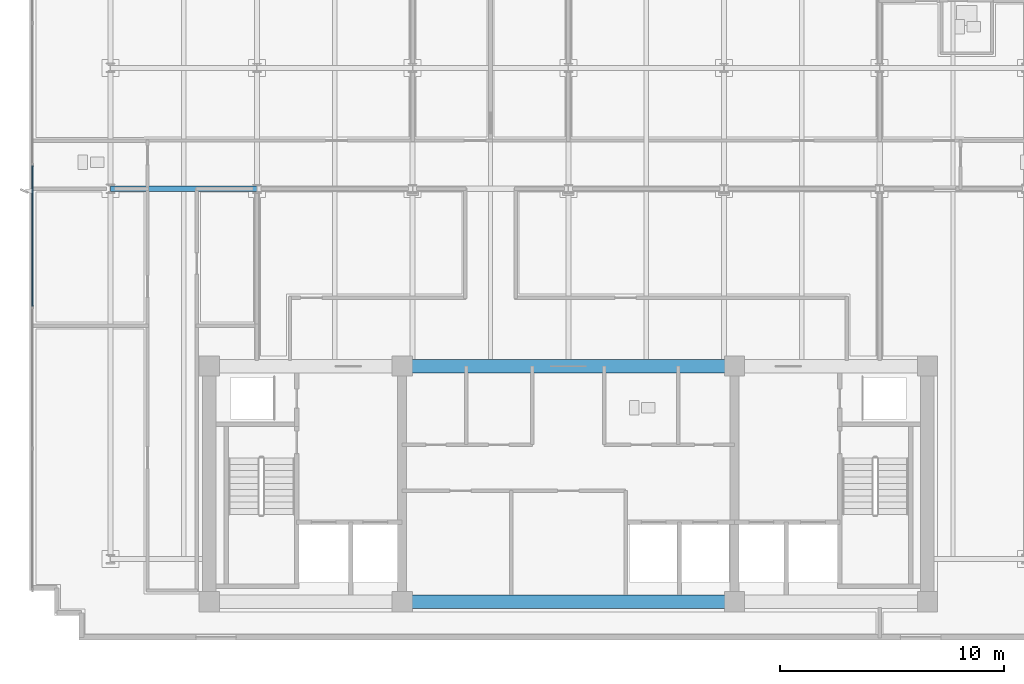
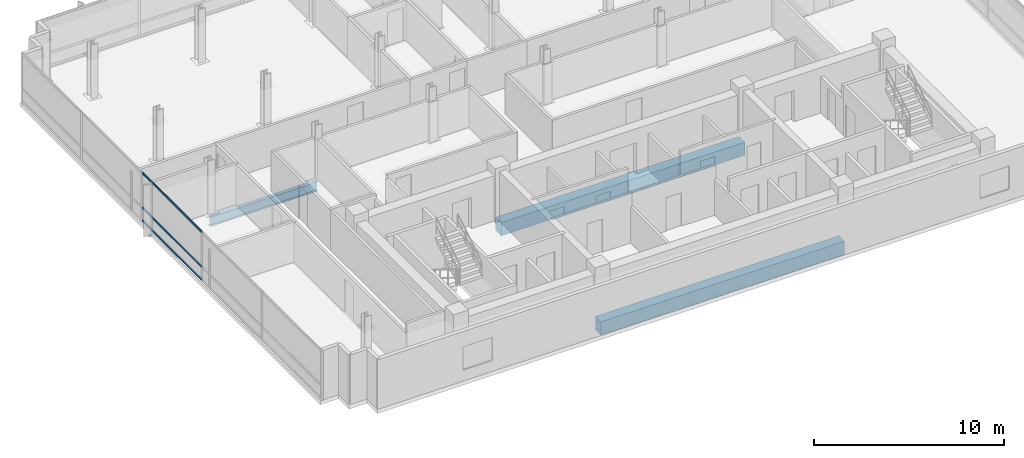
# One storey, part 3 of 18: 3 beams, 3 members, 1 element without a shape of its own.
"""IFC4 building model written with IfcOpenShell, lengths in metres."""

from ifc_helpers import new_model, si_unit, direction, frame, origin, origin_2d, place, context, subcontext, project, spatial, rectangle, i_section, extrude, material, material_profile, profile_set, type_object, element, aggregate, save


model = new_model("IFC4")

# Units and contexts
model_context = context("Model", 3, precision=1e-05, world=origin(), true_north=direction((0.0, 1.0)))
body_context = subcontext(model_context, "Body", "Model", "MODEL_VIEW")
ifc_project = project(units=[si_unit("LENGTHUNIT", "METRE"), si_unit("AREAUNIT", "SQUARE_METRE"), si_unit("VOLUMEUNIT", "CUBIC_METRE"), si_unit("PLANEANGLEUNIT", "RADIAN"), si_unit("MASSUNIT", "GRAM", prefix="KILO")], contexts=[model_context])

# Site, building, storey
site_placement = place(None, origin())
site = spatial("IfcSite", under=ifc_project, at=site_placement, CompositionType="ELEMENT")
building_placement = place(site_placement, origin())
building = spatial("IfcBuilding", under=site, at=building_placement, Name="Solmavex Isthmus Hotel", CompositionType="ELEMENT")
storey_placement = place(building_placement, frame((0.0, 0.0, 283.35009765625)))
storey = spatial("IfcBuildingStorey", under=building, at=storey_placement, Name="L77", CompositionType="ELEMENT", Elevation=283.35009765625)

# Beams
ifc_material_1 = material(Name="Steel ASTM A992 Grade 50", Category="steel")
ifc_material_profile_1 = material_profile(ifc_material_1, i_section(OverallWidth=0.227783203125, OverallDepth=0.602783203125, WebThickness=0.010498046875, FlangeThickness=0.014892578125, FilletRadius=0.01513671875, at=origin_2d()), Name="W24X68")
ifc_profile_set_1 = profile_set([ifc_material_profile_1], Name="Steel ASTM A992 Grade 50")
beam_type_1 = type_object("IfcBeamType", Name="BM-BM-W24X68", PredefinedType="BEAM", material=ifc_profile_set_1)
beam_placement = place(storey_placement, frame((-20.39990234375, 5.39990234375, -0.5615234375), z_axis=(1.0, 0.0, 0.0), x_axis=(0.0, 1.0, 0.0)))
element("IfcBeam", 1, at=beam_placement, inside=storey, type_object=beam_type_1, Name="Floor Girder L77-UG03", PredefinedType="BEAM", context=body_context, shape_type="SweptSolid", body=[
    extrude(i_section(OverallWidth=0.227783203125, OverallDepth=0.602783203125, WebThickness=0.010498046875, FlangeThickness=0.014892578125, FilletRadius=0.01513671875, at=origin_2d()), origin(), (0.0, 0.0, 1.0), 6.52783203125),
])
ifc_material_2 = material(Name="Concrete C50/60", Category="concrete")
ifc_material_profile_2 = material_profile(ifc_material_2, rectangle(XDim=0.60009765625, YDim=0.85009765625, at=origin_2d()), Name="RC600X850")
ifc_profile_set_2 = profile_set([ifc_material_profile_2], Name="Concrete C50/60")
beam_type_2 = type_object("IfcBeamType", Name="BM-CB-600X850", PredefinedType="BEAM", material=ifc_profile_set_2)
for number, where, z_axis, x_axis, name in (
    (2, (-7.39990234375, -13.0, -0.68505859375), (1.0, 0.0, 0.0), (0.0, 1.0, 0.0), "Core Coupling Beam L77-CB2"),
    (3, (-7.39990234375, -2.5, -0.68505859375), (1.0, 0.0, 0.0), (0.0, 1.0, 0.0), "Core Coupling Beam L77-CB5"),
):
    element("IfcBeam", number, at=place(storey_placement, frame(where, z_axis=z_axis, x_axis=x_axis)), inside=storey, type_object=beam_type_2, Name=name, PredefinedType="BEAM", context=body_context, shape_type="SweptSolid", body=[
        extrude(rectangle(XDim=0.60009765625, YDim=0.85009765625, at=origin_2d()), origin(), (0.0, 0.0, 1.0), 14.7998046875),
    ])

# Curtain wall, members
ifc_material_3 = material(Name="Aluminium alloy 6063-T6", Category="aluminium")
curtain_wall_type = type_object("IfcCurtainWallType", Name="CW-SYS-05", PredefinedType="NOTDEFINED", material=ifc_material_3)
curtain_wall_placement = place(storey_placement, origin())
curtain_wall = element("IfcCurtainWall", 4, at=curtain_wall_placement, inside=storey, type_object=curtain_wall_type, Name="Stick Curtain Wall CWL-L77-W1", PredefinedType="NOTDEFINED")
ifc_material_profile_3 = material_profile(ifc_material_3, rectangle(XDim=0.06494140625, YDim=0.125, at=origin_2d()), Name="CWT-65X125")
ifc_profile_set_3 = profile_set([ifc_material_profile_3], Name="Aluminium alloy 6063-T6")
member_type = type_object("IfcMemberType", Name="CW-SYS-05-TRN", PredefinedType="USERDEFINED", material=ifc_profile_set_3)
member_1_placement = place(storey_placement, frame((-23.8798828125, 0.172607421875, 0.0625), z_axis=(0.0, 1.0, 0.0), x_axis=(-1.0, 0.0, 0.0)))
member_1 = element("IfcMember", 5, at=member_1_placement, type_object=member_type, Name="CW-05 transom 3.1", ObjectType="TRANSOM", PredefinedType="USERDEFINED", context=body_context, shape_type="SweptSolid", body=[
    extrude(rectangle(XDim=0.06494140625, YDim=0.125, at=origin_2d()), origin(), (0.0, 0.0, 1.0), 6.2548828125),
])
member_2_placement = place(storey_placement, frame((-23.8798828125, 0.172607421875, 0.89990234375), z_axis=(0.0, 1.0, 0.0), x_axis=(-1.0, 0.0, 0.0)))
member_2 = element("IfcMember", 6, at=member_2_placement, type_object=member_type, Name="CW-05 transom 3.2", ObjectType="TRANSOM", PredefinedType="USERDEFINED", context=body_context, shape_type="SweptSolid", body=[
    extrude(rectangle(XDim=0.06494140625, YDim=0.125, at=origin_2d()), origin(), (0.0, 0.0, 1.0), 6.2548828125),
])
member_3_placement = place(storey_placement, frame((-23.8798828125, 0.172607421875, 3.12744140625), z_axis=(0.0, 1.0, 0.0), x_axis=(-1.0, 0.0, 0.0)))
member_3 = element("IfcMember", 7, at=member_3_placement, type_object=member_type, Name="CW-05 transom 3.3", ObjectType="TRANSOM", PredefinedType="USERDEFINED", context=body_context, shape_type="SweptSolid", body=[
    extrude(rectangle(XDim=0.06494140625, YDim=0.125, at=origin_2d()), origin(), (0.0, 0.0, 1.0), 6.2548828125),
])
aggregate(curtain_wall, [member_1, member_2, member_3])

save(model, "model.ifc")
